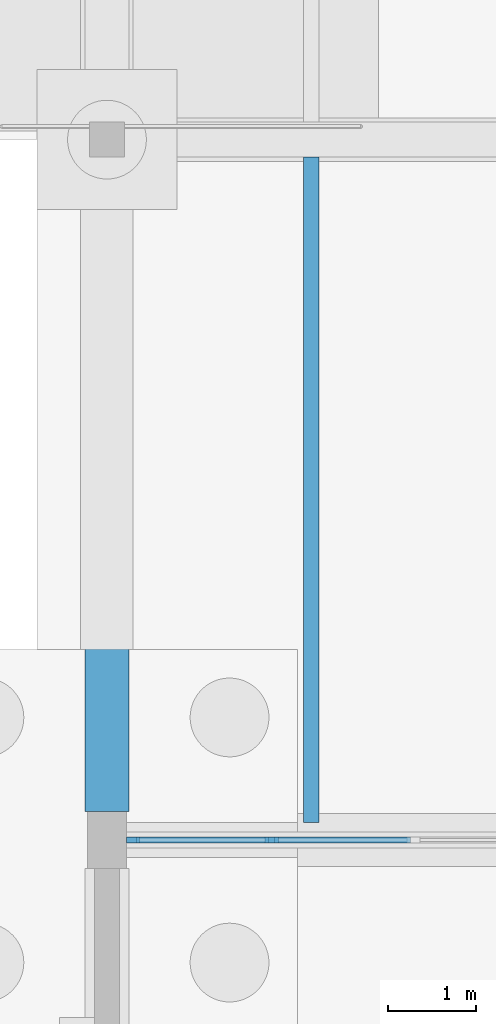
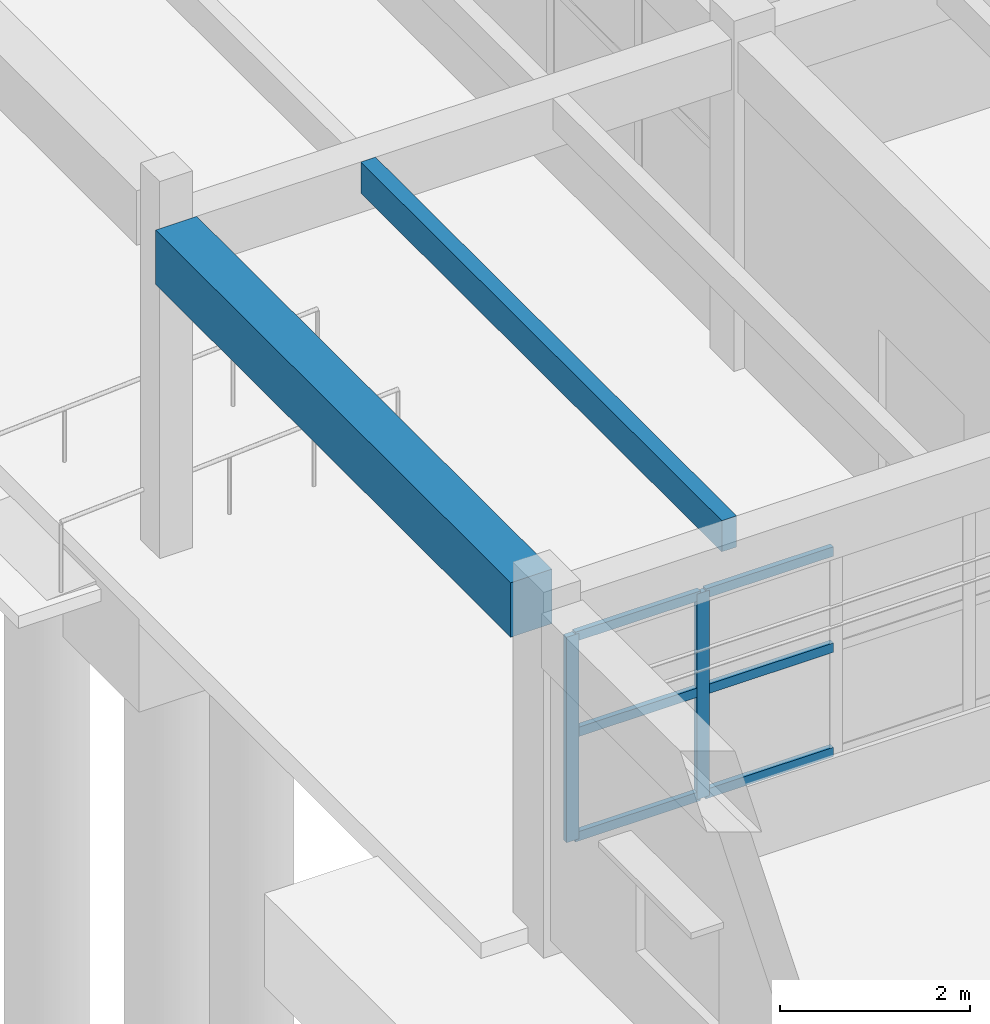
# One storey, part 23 of 99: 8 members, 2 beams, 1 element without a shape of its own.
"""IFC4 building model written with IfcOpenShell, lengths in metres."""

from ifc_helpers import new_model, si_unit, direction, frame, origin, origin_2d, place, context, subcontext, project, spatial, rectangle, extrude, material, layer, layer_set, material_profile, profile_set, type_object, element, aggregate, save


model = new_model("IFC4")

# Units and contexts
model_context = context("Model", 3, precision=1e-05, world=origin(), true_north=direction((0.0, 1.0)))
body_context = subcontext(model_context, "Body", "Model", "MODEL_VIEW")
ifc_project = project(units=[si_unit("LENGTHUNIT", "METRE"), si_unit("AREAUNIT", "SQUARE_METRE"), si_unit("VOLUMEUNIT", "CUBIC_METRE"), si_unit("PLANEANGLEUNIT", "RADIAN"), si_unit("MASSUNIT", "GRAM", prefix="KILO")], contexts=[model_context])

# Site, building, storey
site_placement = place(None, origin())
site = spatial("IfcSite", under=ifc_project, at=site_placement, CompositionType="ELEMENT")
building_placement = place(site_placement, origin())
building = spatial("IfcBuilding", under=site, at=building_placement, Name="Tonlespit Floodbar School", CompositionType="ELEMENT")
storey_placement = place(building_placement, origin())
storey = spatial("IfcBuildingStorey", under=building, at=storey_placement, Name="L00", CompositionType="ELEMENT", Elevation=0.0)

# Curtain wall, members
ifc_material_1 = material(Name="Anodised Aluminium", Category="aluminium")
ifc_layer = layer(ifc_material_1, 0.159912109375)
ifc_layer_set = layer_set([ifc_layer], Name="Anodised Aluminium")
curtain_wall_type = type_object("IfcCurtainWallType", Name="CurtainWall_6450x2650", PredefinedType="NOTDEFINED", material=ifc_layer_set)
curtain_wall_placement = place(storey_placement, origin())
curtain_wall = element("IfcCurtainWall", 1, at=curtain_wall_placement, inside=storey, type_object=curtain_wall_type, Name="L00 unitised curtain wall 0330", PredefinedType="NOTDEFINED")
ifc_material_profile_1 = material_profile(ifc_material_1, rectangle(XDim=0.06494140625, YDim=0.14990234375, at=origin_2d()), Name="ALU M65x150")
ifc_profile_set_1 = profile_set([ifc_material_profile_1], Name="Anodised Aluminium")
member_type_1 = type_object("IfcMemberType", Name="CW_Mullion_65x150", PredefinedType="MULLION", material=ifc_profile_set_1)
member_1_placement = place(storey_placement, frame((127.297607421875, 56.0, 0.949951171875), z_axis=(0.0, 0.0, 1.0), x_axis=(0.0, 1.0, 0.0)))
member_1 = element("IfcMember", 2, at=member_1_placement, type_object=member_type_1, Name="CW-51 mullion 1", PredefinedType="MULLION", context=body_context, shape_type="SweptSolid", body=[
    extrude(rectangle(XDim=0.06494140625, YDim=0.14990234375, at=origin_2d()), origin(), (0.0, 0.0, 1.0), 2.64013671875),
])
member_2_placement = place(storey_placement, frame((128.882568359375, 56.0, 0.949951171875), z_axis=(0.0, 0.0, 1.0), x_axis=(0.0, 1.0, 0.0)))
member_2 = element("IfcMember", 3, at=member_2_placement, type_object=member_type_1, Name="CW-51 mullion 2", PredefinedType="MULLION", context=body_context, shape_type="SweptSolid", body=[
    extrude(rectangle(XDim=0.06494140625, YDim=0.14990234375, at=origin_2d()), origin(), (0.0, 0.0, 1.0), 2.64013671875),
])
ifc_material_profile_2 = material_profile(ifc_material_1, rectangle(XDim=0.06494140625, YDim=0.1201171875, at=origin_2d()), Name="ALU T65x120")
ifc_profile_set_2 = profile_set([ifc_material_profile_2], Name="Anodised Aluminium")
member_type_2 = type_object("IfcMemberType", Name="CW_Transom_65x120", PredefinedType="USERDEFINED", material=ifc_profile_set_2)
member_3_placement = place(storey_placement, frame((127.330078125, 56.0, 0.982421875), z_axis=(1.0, 0.0, 0.0), x_axis=(0.0, 1.0, 0.0)))
member_3 = element("IfcMember", 4, at=member_3_placement, type_object=member_type_2, Name="CW-51 transom 1.1", ObjectType="TRANSOM", PredefinedType="USERDEFINED", context=body_context, shape_type="SweptSolid", body=[
    extrude(rectangle(XDim=0.06494140625, YDim=0.1201171875, at=origin_2d()), origin(), (0.0, 0.0, 1.0), 1.52001953125),
])
member_4_placement = place(storey_placement, frame((127.330078125, 56.0, 2.32275390625), z_axis=(1.0, 0.0, 0.0), x_axis=(0.0, 1.0, 0.0)))
member_4 = element("IfcMember", 5, at=member_4_placement, type_object=member_type_2, Name="CW-51 transom 1.2", ObjectType="TRANSOM", PredefinedType="USERDEFINED", context=body_context, shape_type="SweptSolid", body=[
    extrude(rectangle(XDim=0.06494140625, YDim=0.1201171875, at=origin_2d()), origin(), (0.0, 0.0, 1.0), 1.52001953125),
])
member_5_placement = place(storey_placement, frame((127.330078125, 56.0, 3.5576171875), z_axis=(1.0, 0.0, 0.0), x_axis=(0.0, 1.0, 0.0)))
member_5 = element("IfcMember", 6, at=member_5_placement, type_object=member_type_2, Name="CW-51 transom 1.3", ObjectType="TRANSOM", PredefinedType="USERDEFINED", context=body_context, shape_type="SweptSolid", body=[
    extrude(rectangle(XDim=0.06494140625, YDim=0.1201171875, at=origin_2d()), origin(), (0.0, 0.0, 1.0), 1.52001953125),
])
member_6_placement = place(storey_placement, frame((128.9150390625, 56.0, 0.982421875), z_axis=(1.0, 0.0, 0.0), x_axis=(0.0, 1.0, 0.0)))
member_6 = element("IfcMember", 7, at=member_6_placement, type_object=member_type_2, Name="CW-51 transom 2.1", ObjectType="TRANSOM", PredefinedType="USERDEFINED", context=body_context, shape_type="SweptSolid", body=[
    extrude(rectangle(XDim=0.06494140625, YDim=0.1201171875, at=origin_2d()), origin(), (0.0, 0.0, 1.0), 1.552490234375),
])
member_7_placement = place(storey_placement, frame((128.9150390625, 56.0, 2.32275390625), z_axis=(1.0, 0.0, 0.0), x_axis=(0.0, 1.0, 0.0)))
member_7 = element("IfcMember", 8, at=member_7_placement, type_object=member_type_2, Name="CW-51 transom 2.2", ObjectType="TRANSOM", PredefinedType="USERDEFINED", context=body_context, shape_type="SweptSolid", body=[
    extrude(rectangle(XDim=0.06494140625, YDim=0.1201171875, at=origin_2d()), origin(), (0.0, 0.0, 1.0), 1.552490234375),
])
member_8_placement = place(storey_placement, frame((128.9150390625, 56.0, 3.5576171875), z_axis=(1.0, 0.0, 0.0), x_axis=(0.0, 1.0, 0.0)))
member_8 = element("IfcMember", 9, at=member_8_placement, type_object=member_type_2, Name="CW-51 transom 2.3", ObjectType="TRANSOM", PredefinedType="USERDEFINED", context=body_context, shape_type="SweptSolid", body=[
    extrude(rectangle(XDim=0.06494140625, YDim=0.1201171875, at=origin_2d()), origin(), (0.0, 0.0, 1.0), 1.552490234375),
])
aggregate(curtain_wall, [member_1, member_2, member_3, member_4, member_5, member_6, member_7, member_8])

# Beams
ifc_material_2 = material(Name="Glulam GL28h", Category="wood")
ifc_material_profile_3 = material_profile(ifc_material_2, rectangle(XDim=0.179931640625, YDim=0.39990234375, at=origin_2d()), Name="GL 180x400")
ifc_profile_set_3 = profile_set([ifc_material_profile_3], Name="Glulam GL28h")
beam_type_1 = type_object("IfcBeamType", Name="Joist_GL_180x400", PredefinedType="JOIST", material=ifc_profile_set_3)
beam_1_placement = place(storey_placement, frame((129.333251953125, 56.199951171875, 4.0400390625), z_axis=(0.0, 1.0, 0.0), x_axis=(-1.0, 0.0, 0.0)))
element("IfcBeam", 10, at=beam_1_placement, inside=storey, type_object=beam_type_1, Name="L00 secondary joist 0405", PredefinedType="JOIST", context=body_context, shape_type="SweptSolid", body=[
    extrude(rectangle(XDim=0.179931640625, YDim=0.39990234375, at=origin_2d()), origin(), (0.0, 0.0, 1.0), 7.60009765625),
])
ifc_material_3 = material(Name="Concrete C40/50", Category="concrete")
ifc_material_profile_4 = material_profile(ifc_material_3, rectangle(XDim=0.5, YDim=0.699951171875, at=origin_2d()), Name="RC 500x700")
ifc_profile_set_4 = profile_set([ifc_material_profile_4], Name="Concrete C40/50")
beam_type_2 = type_object("IfcBeamType", Name="Spandrel_RC_500x700", PredefinedType="SPANDREL", material=ifc_profile_set_4)
beam_2_placement = place(storey_placement, frame((127.0, 56.324951171875, 3.889892578125), z_axis=(0.0, 1.0, 0.0), x_axis=(-1.0, 0.0, 0.0)))
element("IfcBeam", 11, at=beam_2_placement, inside=storey, type_object=beam_type_2, Name="L00 girder 0267", PredefinedType="SPANDREL", context=body_context, shape_type="SweptSolid", body=[
    extrude(rectangle(XDim=0.5, YDim=0.699951171875, at=origin_2d()), origin(), (0.0, 0.0, 1.0), 7.47509765625),
])

save(model, "model.ifc")
